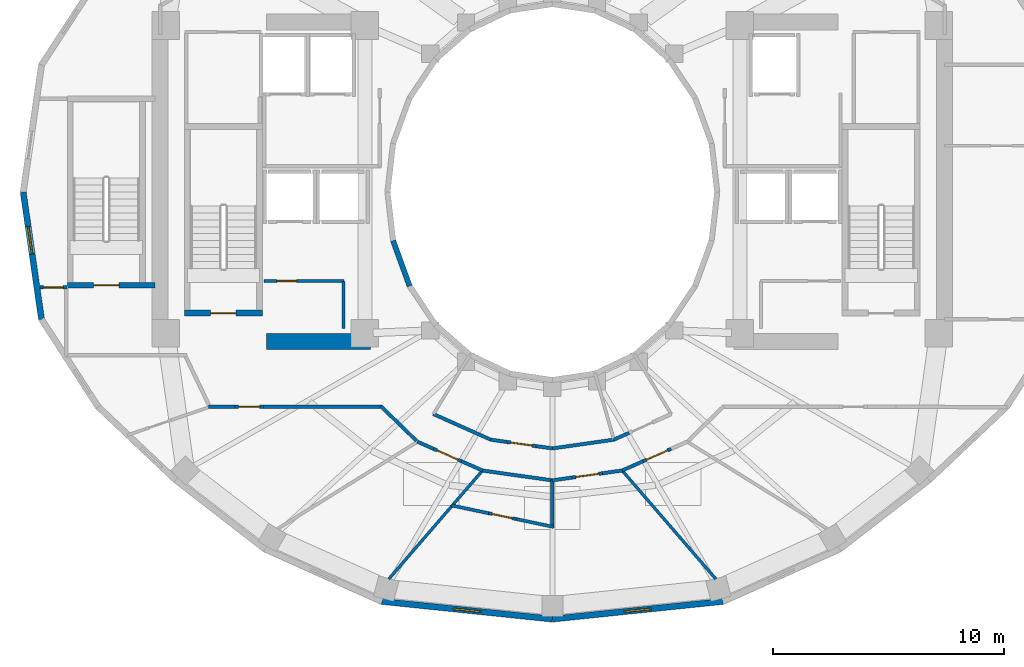
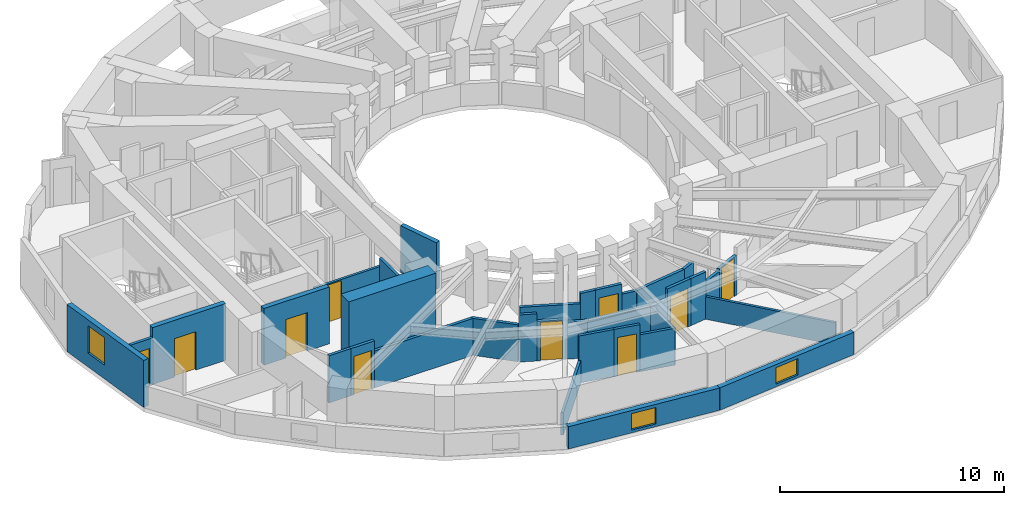
# One storey, part 3 of 9: 35 walls, 10 doors, 3 windows, 13 openings.
"""IFC4 building model written with IfcOpenShell, lengths in metres."""

from ifc_helpers import new_model, si_unit, direction, frame, frame_2d, origin, place, context, subcontext, project, spatial, rectangle, extrude, material, layer, layer_set, type_object, element, fill, save


model = new_model("IFC4")

# Units and contexts
model_context = context("Model", 3, precision=1e-05, world=origin(), true_north=direction((0.0, 1.0)))
body_context = subcontext(model_context, "Body", "Model", "MODEL_VIEW")
ifc_project = project(units=[si_unit("LENGTHUNIT", "METRE"), si_unit("AREAUNIT", "SQUARE_METRE"), si_unit("VOLUMEUNIT", "CUBIC_METRE"), si_unit("PLANEANGLEUNIT", "RADIAN"), si_unit("MASSUNIT", "GRAM", prefix="KILO")], contexts=[model_context])

# Site, building, storey
site_placement = place(None, origin())
site = spatial("IfcSite", under=ifc_project, at=site_placement, CompositionType="ELEMENT")
building_placement = place(site_placement, origin())
building = spatial("IfcBuilding", under=site, at=building_placement, Name="Solvane Sanctuary Tower", CompositionType="ELEMENT")
storey_placement = place(building_placement, frame((0.0, 0.0, 140.5)))
storey = spatial("IfcBuildingStorey", under=building, at=storey_placement, Name="L42", CompositionType="ELEMENT", Elevation=140.5)

# Wall
ifc_material_1 = material(Name="Concrete C60/75", Category="concrete")
ifc_layer_1 = layer(ifc_material_1, 0.699951171875, Name="Concrete C60/75")
ifc_layer_set_1 = layer_set([ifc_layer_1], Name="Concrete C60/75")
wall_type_1 = type_object("IfcWallType", Name="Wall W-CORE-700", PredefinedType="SHEAR", material=ifc_layer_set_1)
wall_1_placement = place(storey_placement, frame((19.64990234375, 16.550048828125, 0.0), z_axis=(0.0, 0.0, 1.0), x_axis=(1.0, 0.0, 0.0)))
element("IfcWall", 1, at=wall_1_placement, inside=storey, type_object=wall_type_1, Name="L42 Core Shear Wall WC-S", PredefinedType="SHEAR", context=body_context, shape_type="SweptSolid", body=[
    extrude(rectangle(XDim=4.5, YDim=0.699951171875, at=frame_2d((2.25, 0.0))), origin(), (0.0, 0.0, 1.0), 3.10009765625),
])

# Wall, opening, door
ifc_material_2 = material(Name="Acoustic Gypsum Partition Board")
ifc_layer_2 = layer(ifc_material_2, 0.14990234375, Name="Acoustic Gypsum Partition Board")
ifc_layer_set_2 = layer_set([ifc_layer_2], Name="Acoustic Gypsum Partition Board")
wall_type_2 = type_object("IfcWallType", Name="Wall W-CORR-150", PredefinedType="PARTITIONING", material=ifc_layer_set_2)
wall_2_placement = place(storey_placement, frame((9.869873046875, 18.8798828125, 0.0), z_axis=(0.0, 0.0, 1.0), x_axis=(1.0, 0.0, 0.0)))
wall_2 = element("IfcWall", 2, at=wall_2_placement, inside=storey, type_object=wall_type_2, Name="L42 SW Corner Closer 1", PredefinedType="PARTITIONING", context=body_context, shape_type="SweptSolid", body=[
    extrude(rectangle(XDim=1.170166015625, YDim=0.14990234375, at=frame_2d((0.5849609375, 0.0))), origin(), (0.0, 0.0, 1.0), 2.574951171875),
])
opening_1_placement = place(wall_2_placement, frame((0.139892578125, 0.0, 0.0)))
opening_1 = element("IfcOpeningElement", 3, at=opening_1_placement, cuts=wall_2, Name="Opening D-L42-16", PredefinedType="OPENING", context=body_context, shape_type="SweptSolid", body=[
    extrude(rectangle(XDim=0.85009765625, YDim=2.050048828125, at=frame_2d((0.425048828125, 1.02490234375))), frame((0.0, 0.0849609375, 0.0), z_axis=(0.0, -1.0, 0.0), x_axis=(1.0, 0.0, 0.0)), (0.0, 0.0, 1.0), 0.169921875),
])
ifc_material_3 = material(Name="Architectural Stainless Steel 316", Category="steel")
door_type_1 = type_object("IfcDoorType", Name="Door D-RISER", OperationType="NOTDEFINED", PredefinedType="DOOR", material=ifc_material_3)
door_1_placement = place(opening_1_placement, origin())
door_1 = element("IfcDoor", 4, at=door_1_placement, inside=storey, type_object=door_type_1, Name="L42 West Lookout Study Door", OperationType="SINGLE_SWING_RIGHT", OverallHeight=2.050048828125, OverallWidth=0.85009765625, PredefinedType="DOOR", context=body_context, shape_type="SweptSolid", body=[
    extrude(rectangle(XDim=0.85009765625, YDim=2.050048828125, at=frame_2d((0.425048828125, 1.02490234375))), frame((0.0, 0.02490234375, 0.0), z_axis=(0.0, -1.0, 0.0), x_axis=(1.0, 0.0, 0.0)), (0.0, 0.0, 1.0), 0.050048828125),
])
fill(opening_1, door_1)

# Walls
wall_3_placement = place(storey_placement, frame((26.132568359375, 12.251220703125, 0.0), z_axis=(0.0, 0.0, 1.0), x_axis=(-0.717419568599, 0.696641344302, 0.0)))
element("IfcWall", 5, at=wall_3_placement, inside=storey, type_object=wall_type_2, Name="L42 SW Corner Throat Wall", PredefinedType="PARTITIONING", context=body_context, shape_type="SweptSolid", body=[
    extrude(rectangle(XDim=2.138427734375, YDim=0.14990234375, at=frame_2d((1.0693359375, 0.0))), origin(), (0.0, 0.0, 1.0), 2.01904296875),
])
wall_4_placement = place(storey_placement, frame((17.14990234375, 13.719970703125, 0.0), z_axis=(0.0, 0.0, 1.0), x_axis=(1.0, 0.0, 0.0)))
element("IfcWall", 6, at=wall_4_placement, inside=storey, type_object=wall_type_2, Name="L42 SW Corner Corridor Wall", PredefinedType="PARTITIONING", context=body_context, shape_type="SweptSolid", body=[
    extrude(rectangle(XDim=1.14013671875, YDim=0.14990234375, at=frame_2d((0.570068359375, 0.0))), origin(), (0.0, 0.0, 1.0), 2.574951171875),
])

# Wall, opening, door
wall_5_placement = place(storey_placement, frame((18.2900390625, 13.719970703125, 0.0), z_axis=(0.0, 0.0, 1.0), x_axis=(1.0, 0.0, 0.0)))
wall_5 = element("IfcWall", 7, at=wall_5_placement, inside=storey, type_object=wall_type_2, Name="L42 SW Corner Corridor Wall", PredefinedType="PARTITIONING", context=body_context, shape_type="SweptSolid", body=[
    extrude(rectangle(XDim=1.219970703125, YDim=0.14990234375, at=frame_2d((0.60986328125, 0.0))), origin(), (0.0, 0.0, 1.0), 2.574951171875),
])
opening_2_placement = place(wall_5_placement, frame((0.159912109375, 0.0, 0.0)))
opening_2 = element("IfcOpeningElement", 8, at=opening_2_placement, cuts=wall_5, Name="Opening D-L42-18", PredefinedType="OPENING", context=body_context, shape_type="SweptSolid", body=[
    extrude(rectangle(XDim=0.89990234375, YDim=2.10009765625, at=frame_2d((0.449951171875, 1.050048828125))), frame((0.0, 0.0849609375, 0.0), z_axis=(0.0, -1.0, 0.0), x_axis=(1.0, 0.0, 0.0)), (0.0, 0.0, 1.0), 0.169921875),
])
ifc_material_4 = material(Name="Engineered Tropical Hardwood", Category="wood")
door_type_2 = type_object("IfcDoorType", Name="Door D-WET-900", OperationType="NOTDEFINED", PredefinedType="DOOR", material=ifc_material_4)
door_2_placement = place(opening_2_placement, origin())
door_2 = element("IfcDoor", 9, at=door_2_placement, inside=storey, type_object=door_type_2, Name="L42 SW Corner Salon Door", OperationType="SINGLE_SWING_RIGHT", OverallHeight=2.10009765625, OverallWidth=0.89990234375, PredefinedType="DOOR", context=body_context, shape_type="SweptSolid", body=[
    extrude(rectangle(XDim=0.89990234375, YDim=2.10009765625, at=frame_2d((0.449951171875, 1.050048828125))), frame((0.0, 0.02490234375, 0.0), z_axis=(0.0, -1.0, 0.0), x_axis=(1.0, 0.0, 0.0)), (0.0, 0.0, 1.0), 0.050048828125),
])
fill(opening_2, door_2)

# Walls
wall_6_placement = place(storey_placement, frame((19.510009765625, 13.719970703125, 0.0), z_axis=(0.0, 0.0, 1.0), x_axis=(1.0, 0.0, 0.0)))
element("IfcWall", 10, at=wall_6_placement, inside=storey, type_object=wall_type_2, Name="L42 SW Corner Corridor Wall", PredefinedType="PARTITIONING", context=body_context, shape_type="SweptSolid", body=[
    extrude(rectangle(XDim=5.159912109375, YDim=0.14990234375, at=frame_2d((2.580078125, 0.0))), origin(), (0.0, 0.0, 1.0), 2.01904296875),
])
wall_7_placement = place(storey_placement, frame((26.855712890625, 13.411865234375, 0.0), z_axis=(0.0, 0.0, 1.0), x_axis=(0.912985265053, -0.407992531545, 0.0)))
element("IfcWall", 11, at=wall_7_placement, inside=storey, type_object=wall_type_2, Name="L42 Inner Light-Well Corridor Wall S1", PredefinedType="PARTITIONING", context=body_context, shape_type="SweptSolid", body=[
    extrude(rectangle(XDim=2.723388671875, YDim=0.14990234375, at=frame_2d((1.36181640625, 0.0))), origin(), (0.0, 0.0, 1.0), 2.01904296875),
])
wall_8_placement = place(storey_placement, frame((29.338623046875, 12.302001953125, 0.0), z_axis=(0.0, 0.0, 1.0), x_axis=(0.99005923875, -0.140650999878, 0.0)))
element("IfcWall", 12, at=wall_8_placement, inside=storey, type_object=wall_type_2, Name="L42 Inner Light-Well Corridor Wall S1", PredefinedType="PARTITIONING", context=body_context, shape_type="SweptSolid", body=[
    extrude(rectangle(XDim=0.7099609375, YDim=0.14990234375, at=frame_2d((0.35498046875, 0.0))), origin(), (0.0, 0.0, 1.0), 2.574951171875),
])

# Wall, opening, door
wall_9_placement = place(storey_placement, frame((30.04150390625, 12.2021484375, 0.0), z_axis=(0.0, 0.0, 1.0), x_axis=(0.990075978744, -0.140533114653, 0.0)))
wall_9 = element("IfcWall", 13, at=wall_9_placement, inside=storey, type_object=wall_type_2, Name="L42 Inner Light-Well Corridor Wall S1", PredefinedType="PARTITIONING", context=body_context, shape_type="SweptSolid", body=[
    extrude(rectangle(XDim=1.27001953125, YDim=0.14990234375, at=frame_2d((0.635009765625, 0.0))), origin(), (0.0, 0.0, 1.0), 2.574951171875),
])
opening_3_placement = place(wall_9_placement, frame((0.159912109375, 0.0, 0.0)))
opening_3 = element("IfcOpeningElement", 14, at=opening_3_placement, cuts=wall_9, Name="Opening D-L42-20", PredefinedType="OPENING", context=body_context, shape_type="SweptSolid", body=[
    extrude(rectangle(XDim=0.949951171875, YDim=2.10009765625, at=frame_2d((0.47509765625, 1.050048828125))), frame((0.0, 0.0849609375, 0.0), z_axis=(0.0, -1.0, 0.0), x_axis=(1.0, 0.0, 0.0)), (0.0, 0.0, 1.0), 0.169921875),
])
door_type_3 = type_object("IfcDoorType", Name="Door D-ROOM-950", OperationType="NOTDEFINED", PredefinedType="DOOR", material=ifc_material_4)
door_3_placement = place(opening_3_placement, origin())
door_3 = element("IfcDoor", 15, at=door_3_placement, inside=storey, type_object=door_type_3, Name="L42 Inner Light-Well Salon Door S1", OperationType="SINGLE_SWING_RIGHT", OverallHeight=2.10009765625, OverallWidth=0.949951171875, PredefinedType="DOOR", context=body_context, shape_type="SweptSolid", body=[
    extrude(rectangle(XDim=0.949951171875, YDim=2.10009765625, at=frame_2d((0.47509765625, 1.050048828125))), frame((0.0, 0.02490234375, 0.0), z_axis=(0.0, -1.0, 0.0), x_axis=(1.0, 0.0, 0.0)), (0.0, 0.0, 1.0), 0.050048828125),
])
fill(opening_3, door_3)

# Walls
wall_10_placement = place(storey_placement, frame((31.298828125, 12.023681640625, 0.0), z_axis=(0.0, 0.0, 1.0), x_axis=(0.990107071323, -0.140313888538, 0.0)))
element("IfcWall", 16, at=wall_10_placement, inside=storey, type_object=wall_type_2, Name="L42 Inner Light-Well Corridor Wall S1", PredefinedType="PARTITIONING", context=body_context, shape_type="SweptSolid", body=[
    extrude(rectangle(XDim=0.7099609375, YDim=0.14990234375, at=frame_2d((0.35498046875, 0.0))), origin(), (0.0, 0.0, 1.0), 2.01904296875),
])
wall_11_placement = place(storey_placement, frame((31.998291015625, 11.924072265625, 0.0), z_axis=(0.0, 0.0, 1.0), x_axis=(0.990041682628, 0.140774524184, 0.0)))
element("IfcWall", 17, at=wall_11_placement, inside=storey, type_object=wall_type_2, Name="L42 Inner Light-Well Corridor Wall S1", PredefinedType="PARTITIONING", context=body_context, shape_type="SweptSolid", body=[
    extrude(rectangle(XDim=2.695068359375, YDim=0.14990234375, at=frame_2d((1.34765625, 0.0))), origin(), (0.0, 0.0, 1.0), 2.01904296875),
])
wall_12_placement = place(storey_placement, frame((34.652587890625, 12.29931640625, 0.0), z_axis=(0.0, 0.0, 1.0), x_axis=(0.913120081969, 0.407690711084, 0.0)))
element("IfcWall", 18, at=wall_12_placement, inside=storey, type_object=wall_type_2, Name="L42 Inner Light-Well Corridor Wall S2", PredefinedType="PARTITIONING", context=body_context, shape_type="SweptSolid", body=[
    extrude(rectangle(XDim=0.7294921875, YDim=0.14990234375, at=frame_2d((0.36474609375, 0.0))), origin(), (0.0, 0.0, 1.0), 2.01904296875),
])
wall_13_placement = place(storey_placement, frame((26.1650390625, 12.217041015625, 0.0), z_axis=(0.0, 0.0, 1.0), x_axis=(0.914386304715, -0.404842791401, 0.0)))
element("IfcWall", 19, at=wall_13_placement, inside=storey, type_object=wall_type_2, Name="L42 Unit Corridor Wall S1", PredefinedType="PARTITIONING", context=body_context, shape_type="SweptSolid", body=[
    extrude(rectangle(XDim=0.76953125, YDim=0.14990234375, at=frame_2d((0.384765625, 0.0))), origin(), (0.0, 0.0, 1.0), 2.574951171875),
])

# Wall, opening, door
wall_14_placement = place(storey_placement, frame((26.86865234375, 11.905517578125, 0.0), z_axis=(0.0, 0.0, 1.0), x_axis=(0.914451103971, -0.404696402809, 0.0)))
wall_14 = element("IfcWall", 20, at=wall_14_placement, inside=storey, type_object=wall_type_2, Name="L42 Unit Corridor Wall S1", PredefinedType="PARTITIONING", context=body_context, shape_type="SweptSolid", body=[
    extrude(rectangle(XDim=1.320068359375, YDim=0.14990234375, at=frame_2d((0.66015625, 0.0))), origin(), (0.0, 0.0, 1.0), 2.159912109375),
])
opening_4_placement = place(wall_14_placement, frame((0.159912109375, 0.0, 0.0)))
opening_4 = element("IfcOpeningElement", 21, at=opening_4_placement, cuts=wall_14, Name="Opening D-L42-27", PredefinedType="OPENING", context=body_context, shape_type="SweptSolid", body=[
    extrude(rectangle(XDim=1.0, YDim=2.10009765625, at=frame_2d((0.5, 1.050048828125))), frame((0.0, 0.0849609375, 0.0), z_axis=(0.0, -1.0, 0.0), x_axis=(1.0, 0.0, 0.0)), (0.0, 0.0, 1.0), 0.169921875),
])
door_type_4 = type_object("IfcDoorType", Name="Door D-UNIT", OperationType="NOTDEFINED", PredefinedType="DOOR", material=ifc_material_4)
door_4_placement = place(opening_4_placement, origin())
door_4 = element("IfcDoor", 22, at=door_4_placement, inside=storey, type_object=door_type_4, Name="L42 Unit Entrance Door S1", OperationType="SINGLE_SWING_LEFT", OverallHeight=2.10009765625, OverallWidth=1.0, PredefinedType="DOOR", context=body_context, shape_type="SweptSolid", body=[
    extrude(rectangle(XDim=1.0, YDim=2.10009765625, at=frame_2d((0.5, 1.050048828125))), frame((0.0, 0.02490234375, 0.0), z_axis=(0.0, -1.0, 0.0), x_axis=(1.0, 0.0, 0.0)), (0.0, 0.0, 1.0), 0.050048828125),
])
fill(opening_4, door_4)

# Walls
wall_15_placement = place(storey_placement, frame((28.07568359375, 11.371337890625, 0.0), z_axis=(0.0, 0.0, 1.0), x_axis=(0.914504106684, -0.404576616797, 0.0)))
element("IfcWall", 23, at=wall_15_placement, inside=storey, type_object=wall_type_2, Name="L42 Unit Corridor Wall S1", PredefinedType="PARTITIONING", context=body_context, shape_type="SweptSolid", body=[
    extrude(rectangle(XDim=1.001220703125, YDim=0.14990234375, at=frame_2d((0.50048828125, 0.0))), origin(), (0.0, 0.0, 1.0), 2.01904296875),
])
wall_16_placement = place(storey_placement, frame((28.93359375, 10.975341796875, 0.0), z_axis=(0.0, 0.0, 1.0), x_axis=(0.990254405439, -0.139270285808, 0.0)))
element("IfcWall", 24, at=wall_16_placement, inside=storey, type_object=wall_type_2, Name="L42 En-suite Inner Wall S2", PredefinedType="PARTITIONING", context=body_context, shape_type="SweptSolid", body=[
    extrude(rectangle(XDim=3.146728515625, YDim=0.14990234375, at=frame_2d((1.5732421875, 0.0))), origin(), (0.0, 0.0, 1.0), 2.01904296875),
])
wall_17_placement = place(storey_placement, frame((31.991943359375, 10.5439453125, 0.0), z_axis=(0.0, 0.0, 1.0), x_axis=(0.990255371296, 0.139263418091, 0.0)))
element("IfcWall", 25, at=wall_17_placement, inside=storey, type_object=wall_type_2, Name="L42 Unit Corridor Wall S2", PredefinedType="PARTITIONING", context=body_context, shape_type="SweptSolid", body=[
    extrude(rectangle(XDim=0.871337890625, YDim=0.14990234375, at=frame_2d((0.435546875, 0.0))), origin(), (0.0, 0.0, 1.0), 2.01904296875),
])

# Wall, opening, door
wall_18_placement = place(storey_placement, frame((32.854736328125, 10.665283203125, 0.0), z_axis=(0.0, 0.0, 1.0), x_axis=(0.990228663531, 0.139453196171, 0.0)))
wall_18 = element("IfcWall", 26, at=wall_18_placement, inside=storey, type_object=wall_type_2, Name="L42 Unit Corridor Wall S2", PredefinedType="PARTITIONING", context=body_context, shape_type="SweptSolid", body=[
    extrude(rectangle(XDim=1.320068359375, YDim=0.14990234375, at=frame_2d((0.66015625, 0.0))), origin(), (0.0, 0.0, 1.0), 2.574951171875),
])
opening_5_placement = place(wall_18_placement, frame((0.159912109375, 0.0, 0.0)))
opening_5 = element("IfcOpeningElement", 27, at=opening_5_placement, cuts=wall_18, Name="Opening D-L42-29", PredefinedType="OPENING", context=body_context, shape_type="SweptSolid", body=[
    extrude(rectangle(XDim=1.0, YDim=2.10009765625, at=frame_2d((0.5, 1.050048828125))), frame((0.0, 0.0849609375, 0.0), z_axis=(0.0, -1.0, 0.0), x_axis=(1.0, 0.0, 0.0)), (0.0, 0.0, 1.0), 0.169921875),
])
door_5_placement = place(opening_5_placement, origin())
door_5 = element("IfcDoor", 28, at=door_5_placement, inside=storey, type_object=door_type_4, Name="L42 Unit Entrance Door S2", OperationType="SINGLE_SWING_LEFT", OverallHeight=2.10009765625, OverallWidth=1.0, PredefinedType="DOOR", context=body_context, shape_type="SweptSolid", body=[
    extrude(rectangle(XDim=1.0, YDim=2.10009765625, at=frame_2d((0.5, 1.050048828125))), frame((0.0, 0.02490234375, 0.0), z_axis=(0.0, -1.0, 0.0), x_axis=(1.0, 0.0, 0.0)), (0.0, 0.0, 1.0), 0.050048828125),
])
fill(opening_5, door_5)

# Walls
wall_19_placement = place(storey_placement, frame((34.161865234375, 10.849365234375, 0.0), z_axis=(0.0, 0.0, 1.0), x_axis=(0.990255371296, 0.139263418091, 0.0)))
element("IfcWall", 29, at=wall_19_placement, inside=storey, type_object=wall_type_2, Name="L42 Unit Corridor Wall S2", PredefinedType="PARTITIONING", context=body_context, shape_type="SweptSolid", body=[
    extrude(rectangle(XDim=0.871337890625, YDim=0.14990234375, at=frame_2d((0.435546875, 0.0))), origin(), (0.0, 0.0, 1.0), 2.574951171875),
])
wall_20_placement = place(storey_placement, frame((35.0087890625, 10.96630859375, 0.0), z_axis=(0.0, 0.0, 1.0), x_axis=(0.914504106684, 0.404576616797, 0.0)))
element("IfcWall", 30, at=wall_20_placement, inside=storey, type_object=wall_type_2, Name="L42 Unit Corridor Wall S3", PredefinedType="PARTITIONING", context=body_context, shape_type="SweptSolid", body=[
    extrude(rectangle(XDim=1.001220703125, YDim=0.14990234375, at=frame_2d((0.50048828125, 0.0))), origin(), (0.0, 0.0, 1.0), 2.01904296875),
])

# Wall, opening, door
wall_21_placement = place(storey_placement, frame((35.92431640625, 11.371337890625, 0.0), z_axis=(0.0, 0.0, 1.0), x_axis=(0.914451103971, 0.404696402809, 0.0)))
wall_21 = element("IfcWall", 31, at=wall_21_placement, inside=storey, type_object=wall_type_2, Name="L42 Unit Corridor Wall S3", PredefinedType="PARTITIONING", context=body_context, shape_type="SweptSolid", body=[
    extrude(rectangle(XDim=1.320068359375, YDim=0.14990234375, at=frame_2d((0.66015625, 0.0))), origin(), (0.0, 0.0, 1.0), 2.159912109375),
])
opening_6_placement = place(wall_21_placement, frame((0.159912109375, 0.0, 0.0)))
opening_6 = element("IfcOpeningElement", 32, at=opening_6_placement, cuts=wall_21, Name="Opening D-L42-30", PredefinedType="OPENING", context=body_context, shape_type="SweptSolid", body=[
    extrude(rectangle(XDim=1.0, YDim=2.10009765625, at=frame_2d((0.5, 1.050048828125))), frame((0.0, 0.0849609375, 0.0), z_axis=(0.0, -1.0, 0.0), x_axis=(1.0, 0.0, 0.0)), (0.0, 0.0, 1.0), 0.169921875),
])
door_6_placement = place(opening_6_placement, origin())
door_6 = element("IfcDoor", 33, at=door_6_placement, inside=storey, type_object=door_type_4, Name="L42 Unit Entrance Door S3", OperationType="SINGLE_SWING_RIGHT", OverallHeight=2.10009765625, OverallWidth=1.0, PredefinedType="DOOR", context=body_context, shape_type="SweptSolid", body=[
    extrude(rectangle(XDim=1.0, YDim=2.10009765625, at=frame_2d((0.5, 1.050048828125))), frame((0.0, 0.02490234375, 0.0), z_axis=(0.0, -1.0, 0.0), x_axis=(1.0, 0.0, 0.0)), (0.0, 0.0, 1.0), 0.050048828125),
])
fill(opening_6, door_6)

# Wall, opening, window
ifc_material_5 = material(Name="Precast concrete C40/50", Category="concrete")
ifc_layer_3 = layer(ifc_material_5, 0.260009765625, Name="Precast concrete C40/50")
ifc_layer_set_3 = layer_set([ifc_layer_3], Name="Precast concrete C40/50")
wall_type_3 = type_object("IfcWallType", Name="Wall W-EXT-250", PredefinedType="STANDARD", material=ifc_layer_set_3)
wall_22_placement = place(storey_placement, frame((9.139892578125, 23.0, 0.0), z_axis=(0.0, 0.0, 1.0), x_axis=(0.142227632286, -0.989833976288, 0.0)))
wall_22 = element("IfcWall", 34, at=wall_22_placement, inside=storey, type_object=wall_type_3, Name="L42 Ceramic-Printed Facade Wall 12", PredefinedType="STANDARD", context=body_context, shape_type="SweptSolid", body=[
    extrude(rectangle(XDim=5.552978515625, YDim=0.260009765625, at=frame_2d((2.7763671875, 0.0))), origin(), (0.0, 0.0, 1.0), 2.570068359375),
])
opening_7_placement = place(wall_22_placement, frame((1.506103515625, 0.0, 0.75)))
opening_7 = element("IfcOpeningElement", 35, at=opening_7_placement, cuts=wall_22, Name="Opening WN-OPER-1200", PredefinedType="OPENING", context=body_context, shape_type="SweptSolid", body=[
    extrude(rectangle(XDim=1.199951171875, YDim=1.5, at=frame_2d((0.60009765625, 0.75))), frame((0.0, 0.139892578125, 0.0), z_axis=(0.0, -1.0, 0.0), x_axis=(1.0, 0.0, 0.0)), (0.0, 0.0, 1.0), 0.280029296875),
])
ifc_material_6 = material(Name="Dark Ceramic-Fritted Low-E Glass", Category="glass")
window_type = type_object("IfcWindowType", Name="Window WN-OPER-1200", PartitioningType="SINGLE_PANEL", PredefinedType="WINDOW", material=ifc_material_6)
window_1_placement = place(opening_7_placement, origin())
window_1 = element("IfcWindow", 36, at=window_1_placement, inside=storey, type_object=window_type, Name="L42 Operable Facade Window 12", OverallHeight=1.5, OverallWidth=1.199951171875, PartitioningType="SINGLE_PANEL", PredefinedType="WINDOW", context=body_context, shape_type="SweptSolid", body=[
    extrude(rectangle(XDim=1.199951171875, YDim=1.5, at=frame_2d((0.60009765625, 0.75))), frame((0.0, 0.030029296875, 0.0), z_axis=(0.0, -1.0, 0.0), x_axis=(1.0, 0.0, 0.0)), (0.0, 0.0, 1.0), 0.06005859375),
])
fill(opening_7, window_1)

wall_23_placement = place(storey_placement, frame((24.634765625, 5.3154296875, 0.0), z_axis=(0.0, 0.0, 1.0), x_axis=(0.994664178965, -0.10316574569, 0.0)))
wall_23 = element("IfcWall", 37, at=wall_23_placement, inside=storey, type_object=wall_type_3, Name="L42 Ceramic-Printed Facade Wall 17", PredefinedType="STANDARD", context=body_context, shape_type="SweptSolid", body=[
    extrude(rectangle(XDim=7.40478515625, YDim=0.260009765625, at=frame_2d((3.702392578125, 0.0))), origin(), (0.0, 0.0, 1.0), 1.219970703125),
])
opening_8_placement = place(wall_23_placement, frame((3.102294921875, 0.0, 0.14990234375)))
opening_8 = element("IfcOpeningElement", 38, at=opening_8_placement, cuts=wall_23, Name="Opening WN-OPER-1200", PredefinedType="OPENING", context=body_context, shape_type="SweptSolid", body=[
    extrude(rectangle(XDim=1.199951171875, YDim=0.89990234375, at=frame_2d((0.60009765625, 0.449951171875))), frame((0.0, 0.139892578125, 0.0), z_axis=(0.0, -1.0, 0.0), x_axis=(1.0, 0.0, 0.0)), (0.0, 0.0, 1.0), 0.280029296875),
])
window_2_placement = place(opening_8_placement, origin())
window_2 = element("IfcWindow", 39, at=window_2_placement, inside=storey, type_object=window_type, Name="L42 Operable Facade Window 17", OverallHeight=0.89990234375, OverallWidth=1.199951171875, PartitioningType="SINGLE_PANEL", PredefinedType="WINDOW", context=body_context, shape_type="SweptSolid", body=[
    extrude(rectangle(XDim=1.199951171875, YDim=0.89990234375, at=frame_2d((0.60009765625, 0.449951171875))), frame((0.0, 0.030029296875, 0.0), z_axis=(0.0, -1.0, 0.0), x_axis=(1.0, 0.0, 0.0)), (0.0, 0.0, 1.0), 0.06005859375),
])
fill(opening_8, window_2)

wall_24_placement = place(storey_placement, frame((32.0, 4.551513671875, 0.0), z_axis=(0.0, 0.0, 1.0), x_axis=(0.994664178965, 0.10316574569, 0.0)))
wall_24 = element("IfcWall", 40, at=wall_24_placement, inside=storey, type_object=wall_type_3, Name="L42 Ceramic-Printed Facade Wall 18", PredefinedType="STANDARD", context=body_context, shape_type="SweptSolid", body=[
    extrude(rectangle(XDim=7.40478515625, YDim=0.260009765625, at=frame_2d((3.702392578125, 0.0))), origin(), (0.0, 0.0, 1.0), 1.219970703125),
])
opening_9_placement = place(wall_24_placement, frame((3.102294921875, 0.0, 0.14990234375)))
opening_9 = element("IfcOpeningElement", 41, at=opening_9_placement, cuts=wall_24, Name="Opening WN-OPER-1200", PredefinedType="OPENING", context=body_context, shape_type="SweptSolid", body=[
    extrude(rectangle(XDim=1.199951171875, YDim=0.89990234375, at=frame_2d((0.60009765625, 0.449951171875))), frame((0.0, 0.139892578125, 0.0), z_axis=(0.0, -1.0, 0.0), x_axis=(1.0, 0.0, 0.0)), (0.0, 0.0, 1.0), 0.280029296875),
])
window_3_placement = place(opening_9_placement, origin())
window_3 = element("IfcWindow", 42, at=window_3_placement, inside=storey, type_object=window_type, Name="L42 Operable Facade Window 18", OverallHeight=0.89990234375, OverallWidth=1.199951171875, PartitioningType="SINGLE_PANEL", PredefinedType="WINDOW", context=body_context, shape_type="SweptSolid", body=[
    extrude(rectangle(XDim=1.199951171875, YDim=0.89990234375, at=frame_2d((0.60009765625, 0.449951171875))), frame((0.0, 0.030029296875, 0.0), z_axis=(0.0, -1.0, 0.0), x_axis=(1.0, 0.0, 0.0)), (0.0, 0.0, 1.0), 0.06005859375),
])
fill(opening_9, window_3)

# Wall
ifc_layer_4 = layer(ifc_material_5, 0.22998046875, Name="Precast concrete C40/50")
ifc_layer_set_4 = layer_set([ifc_layer_4], Name="Precast concrete C40/50")
wall_type_4 = type_object("IfcWallType", Name="Wall W-EXT-SP220", PredefinedType="STANDARD", material=ifc_layer_set_4)
wall_25_placement = place(storey_placement, frame((25.12255859375, 20.8984375, 0.0), z_axis=(0.0, 0.0, 1.0), x_axis=(0.341423187295, -0.93990968033, 0.0)))
element("IfcWall", 43, at=wall_25_placement, inside=storey, type_object=wall_type_4, Name="L42 Central Light-Well Wall 13", PredefinedType="STANDARD", context=body_context, shape_type="SweptSolid", body=[
    extrude(rectangle(XDim=2.083740234375, YDim=0.22998046875, at=frame_2d((1.0419921875, 0.0))), origin(), (0.0, 0.0, 1.0), 2.56005859375),
])

# Wall, opening, door
ifc_layer_5 = layer(ifc_material_2, 0.125, Name="Acoustic Gypsum Partition Board")
ifc_layer_set_5 = layer_set([ifc_layer_5], Name="Acoustic Gypsum Partition Board")
wall_type_5 = type_object("IfcWallType", Name="Wall W-PART-125", PredefinedType="PARTITIONING", material=ifc_layer_set_5)
wall_26_placement = place(storey_placement, frame((19.550048828125, 19.159912109375, 0.0), z_axis=(0.0, 0.0, 1.0), x_axis=(1.0, 0.0, 0.0)))
wall_26 = element("IfcWall", 44, at=wall_26_placement, inside=storey, type_object=wall_type_5, Name="L42 Reclaimed Room Partition PLW", PredefinedType="PARTITIONING", context=body_context, shape_type="SweptSolid", body=[
    extrude(rectangle(XDim=3.449951171875, YDim=0.125, at=frame_2d((1.72509765625, 0.0))), origin(), (0.0, 0.0, 1.0), 2.1201171875),
])
opening_10_placement = place(wall_26_placement, frame((0.550048828125, 0.0, 0.0)))
opening_10 = element("IfcOpeningElement", 45, at=opening_10_placement, cuts=wall_26, Name="Opening D-L42-06", PredefinedType="OPENING", context=body_context, shape_type="SweptSolid", body=[
    extrude(rectangle(XDim=0.85009765625, YDim=2.050048828125, at=frame_2d((0.425048828125, 1.02490234375))), frame((0.0, 0.072509765625, 0.0), z_axis=(0.0, -1.0, 0.0), x_axis=(1.0, 0.0, 0.0)), (0.0, 0.0, 1.0), 0.14501953125),
])
door_7_placement = place(opening_10_placement, origin())
door_7 = element("IfcDoor", 46, at=door_7_placement, inside=storey, type_object=door_type_1, Name="L42 Reclaimed Room Door PLW-1", OperationType="SINGLE_SWING_RIGHT", OverallHeight=2.050048828125, OverallWidth=0.85009765625, PredefinedType="DOOR", context=body_context, shape_type="SweptSolid", body=[
    extrude(rectangle(XDim=0.85009765625, YDim=2.050048828125, at=frame_2d((0.425048828125, 1.02490234375))), frame((0.0, 0.02490234375, 0.0), z_axis=(0.0, -1.0, 0.0), x_axis=(1.0, 0.0, 0.0)), (0.0, 0.0, 1.0), 0.050048828125),
])
fill(opening_10, door_7)

# Walls
wall_27_placement = place(storey_placement, frame((22.97998046875, 17.10009765625, 0.0), z_axis=(0.0, 0.0, 1.0), x_axis=(0.0, 1.0, 0.0)))
element("IfcWall", 47, at=wall_27_placement, inside=storey, type_object=wall_type_5, Name="L42 Reclaimed Room Closer Wall PLW-1", PredefinedType="PARTITIONING", context=body_context, shape_type="SweptSolid", body=[
    extrude(rectangle(XDim=2.039794921875, YDim=0.125, at=frame_2d((1.02001953125, 0.0))), origin(), (0.0, 0.0, 1.0), 2.574951171875),
])
for number, where, z_axis, x_axis, name in (
    (48, (28.947265625, 10.9267578125, 0.0), (0.0, 0.0, 1.0), (-0.653779283332, -0.756685303601, 0.0), "L42 Radial Compartment Wall 255"),
    (49, (35.052734375, 10.9267578125, 0.0), (0.0, 0.0, 1.0), (0.653779283332, -0.756685303601, 0.0), "L42 Radial Compartment Wall 285"),
):
    element("IfcWall", number, at=place(storey_placement, frame(where, z_axis=z_axis, x_axis=x_axis)), inside=storey, type_object=wall_type_5, Name=name, PredefinedType="PARTITIONING", context=body_context, shape_type="SweptSolid", body=[
        extrude(rectangle(XDim=6.139892578125, YDim=0.125, at=frame_2d((3.06982421875, 0.0))), origin(), (0.0, 0.0, 1.0), 1.219970703125),
    ])

# Wall, opening, door
ifc_material_7 = material(Name="Concrete C50/60", Category="concrete")
ifc_layer_6 = layer(ifc_material_7, 0.25, Name="Concrete C50/60")
ifc_layer_set_6 = layer_set([ifc_layer_6], Name="Concrete C50/60")
wall_type_6 = type_object("IfcWallType", Name="Wall W-SHAFT-250", PredefinedType="SOLIDWALL", material=ifc_layer_set_6)
wall_28_placement = place(storey_placement, frame((16.10498046875, 17.77001953125, 0.0), z_axis=(0.0, 0.0, 1.0), x_axis=(1.0, 0.0, 0.0)))
wall_28 = element("IfcWall", 50, at=wall_28_placement, inside=storey, type_object=wall_type_6, Name="L42 ST-1 Load-Bearing Shaft Wall S", PredefinedType="SOLIDWALL", context=body_context, shape_type="SweptSolid", body=[
    extrude(rectangle(XDim=3.3701171875, YDim=0.25, at=frame_2d((1.68505859375, 0.0))), origin(), (0.0, 0.0, 1.0), 3.10009765625),
])
opening_11_placement = place(wall_28_placement, frame((1.135009765625, 0.0, 0.0)))
opening_11 = element("IfcOpeningElement", 51, at=opening_11_placement, cuts=wall_28, Name="Opening D-L42-01", PredefinedType="OPENING", context=body_context, shape_type="SweptSolid", body=[
    extrude(rectangle(XDim=1.10009765625, YDim=2.10009765625, at=frame_2d((0.550048828125, 1.050048828125))), frame((0.0, 0.135009765625, 0.0), z_axis=(0.0, -1.0, 0.0), x_axis=(1.0, 0.0, 0.0)), (0.0, 0.0, 1.0), 0.27001953125),
])
door_type_5 = type_object("IfcDoorType", Name="Door D-STAIR", OperationType="NOTDEFINED", PredefinedType="DOOR", material=ifc_material_3)
door_8_placement = place(opening_11_placement, origin())
door_8 = element("IfcDoor", 52, at=door_8_placement, inside=storey, type_object=door_type_5, Name="L42 ST-1 Exit Stair Fire Door", OperationType="SINGLE_SWING_RIGHT", OverallHeight=2.10009765625, OverallWidth=1.10009765625, PredefinedType="DOOR", context=body_context, shape_type="SweptSolid", body=[
    extrude(rectangle(XDim=1.10009765625, YDim=2.10009765625, at=frame_2d((0.550048828125, 1.050048828125))), frame((0.0, 0.02490234375, 0.0), z_axis=(0.0, -1.0, 0.0), x_axis=(1.0, 0.0, 0.0)), (0.0, 0.0, 1.0), 0.050048828125),
])
fill(opening_11, door_8)

wall_29_placement = place(storey_placement, frame((11.044921875, 18.969970703125, 0.0), z_axis=(0.0, 0.0, 1.0), x_axis=(1.0, 0.0, 0.0)))
wall_29 = element("IfcWall", 53, at=wall_29_placement, inside=storey, type_object=wall_type_6, Name="L42 ST-3 Load-Bearing Shaft Wall S", PredefinedType="SOLIDWALL", context=body_context, shape_type="SweptSolid", body=[
    extrude(rectangle(XDim=3.781982421875, YDim=0.25, at=frame_2d((1.89111328125, 0.0))), origin(), (0.0, 0.0, 1.0), 3.10009765625),
])
opening_12_placement = place(wall_29_placement, frame((1.135009765625, 0.0, 0.0)))
opening_12 = element("IfcOpeningElement", 54, at=opening_12_placement, cuts=wall_29, Name="Opening D-L42-03", PredefinedType="OPENING", context=body_context, shape_type="SweptSolid", body=[
    extrude(rectangle(XDim=1.10009765625, YDim=2.10009765625, at=frame_2d((0.550048828125, 1.050048828125))), frame((0.0, 0.135009765625, 0.0), z_axis=(0.0, -1.0, 0.0), x_axis=(1.0, 0.0, 0.0)), (0.0, 0.0, 1.0), 0.27001953125),
])
door_9_placement = place(opening_12_placement, origin())
door_9 = element("IfcDoor", 55, at=door_9_placement, inside=storey, type_object=door_type_5, Name="L42 ST-3 Exit Stair Fire Door", OperationType="SINGLE_SWING_RIGHT", OverallHeight=2.10009765625, OverallWidth=1.10009765625, PredefinedType="DOOR", context=body_context, shape_type="SweptSolid", body=[
    extrude(rectangle(XDim=1.10009765625, YDim=2.10009765625, at=frame_2d((0.550048828125, 1.050048828125))), frame((0.0, 0.02490234375, 0.0), z_axis=(0.0, -1.0, 0.0), x_axis=(1.0, 0.0, 0.0)), (0.0, 0.0, 1.0), 0.050048828125),
])
fill(opening_12, door_9)

# Walls
ifc_layer_7 = layer(ifc_material_2, 0.139892578125, Name="Acoustic Gypsum Partition Board")
ifc_layer_set_7 = layer_set([ifc_layer_7], Name="Acoustic Gypsum Partition Board")
wall_type_7 = type_object("IfcWallType", Name="Wall W-WET-140", PredefinedType="PLUMBINGWALL", material=ifc_layer_set_7)
wall_30_placement = place(storey_placement, frame((32.0, 10.593994140625, 0.0), z_axis=(0.0, 0.0, 1.0), x_axis=(0.0, -1.0, 0.0)))
element("IfcWall", 56, at=wall_30_placement, inside=storey, type_object=wall_type_7, Name="L42 En-suite Side Partition S2", PredefinedType="PLUMBINGWALL", context=body_context, shape_type="SweptSolid", body=[
    extrude(rectangle(XDim=2.10009765625, YDim=0.139892578125, at=frame_2d((1.050048828125, 0.0))), origin(), (0.0, 0.0, 1.0), 2.01904296875),
])
wall_31_placement = place(storey_placement, frame((27.626708984375, 9.46533203125, 0.0), z_axis=(0.0, 0.0, 1.0), x_axis=(0.978519940891, -0.206152189604, 0.0)))
element("IfcWall", 57, at=wall_31_placement, inside=storey, type_object=wall_type_7, Name="L42 En-suite Bedroom Wall S2", PredefinedType="PLUMBINGWALL", context=body_context, shape_type="SweptSolid", body=[
    extrude(rectangle(XDim=1.649658203125, YDim=0.139892578125, at=frame_2d((0.82470703125, 0.0))), origin(), (0.0, 0.0, 1.0), 2.574951171875),
])

# Wall, opening, door
wall_32_placement = place(storey_placement, frame((29.240966796875, 9.125244140625, 0.0), z_axis=(0.0, 0.0, 1.0), x_axis=(0.978528548163, -0.206111330186, 0.0)))
wall_32 = element("IfcWall", 58, at=wall_32_placement, inside=storey, type_object=wall_type_7, Name="L42 En-suite Bedroom Wall S2", PredefinedType="PLUMBINGWALL", context=body_context, shape_type="SweptSolid", body=[
    extrude(rectangle(XDim=1.219970703125, YDim=0.139892578125, at=frame_2d((0.60986328125, 0.0))), origin(), (0.0, 0.0, 1.0), 2.574951171875),
])
opening_13_placement = place(wall_32_placement, frame((0.159912109375, 0.0, 0.0)))
opening_13 = element("IfcOpeningElement", 59, at=opening_13_placement, cuts=wall_32, Name="Opening D-L42-28", PredefinedType="OPENING", context=body_context, shape_type="SweptSolid", body=[
    extrude(rectangle(XDim=0.89990234375, YDim=2.10009765625, at=frame_2d((0.449951171875, 1.050048828125))), frame((0.0, 0.079833984375, 0.0), z_axis=(0.0, -1.0, 0.0), x_axis=(1.0, 0.0, 0.0)), (0.0, 0.0, 1.0), 0.159912109375),
])
door_10_placement = place(opening_13_placement, origin())
door_10 = element("IfcDoor", 60, at=door_10_placement, inside=storey, type_object=door_type_2, Name="L42 En-suite Bathroom Door S2", OperationType="SINGLE_SWING_RIGHT", OverallHeight=2.10009765625, OverallWidth=0.89990234375, PredefinedType="DOOR", context=body_context, shape_type="SweptSolid", body=[
    extrude(rectangle(XDim=0.89990234375, YDim=2.10009765625, at=frame_2d((0.449951171875, 1.050048828125))), frame((0.0, 0.02490234375, 0.0), z_axis=(0.0, -1.0, 0.0), x_axis=(1.0, 0.0, 0.0)), (0.0, 0.0, 1.0), 0.050048828125),
])
fill(opening_13, door_10)

# Wall
wall_33_placement = place(storey_placement, frame((30.434814453125, 8.873779296875, 0.0), z_axis=(0.0, 0.0, 1.0), x_axis=(0.978513650074, -0.206182047278, 0.0)))
element("IfcWall", 61, at=wall_33_placement, inside=storey, type_object=wall_type_7, Name="L42 En-suite Bedroom Wall S2", PredefinedType="PLUMBINGWALL", context=body_context, shape_type="SweptSolid", body=[
    extrude(rectangle(XDim=1.6494140625, YDim=0.139892578125, at=frame_2d((0.82470703125, 0.0))), origin(), (0.0, 0.0, 1.0), 2.01904296875),
])

save(model, "model.ifc")
